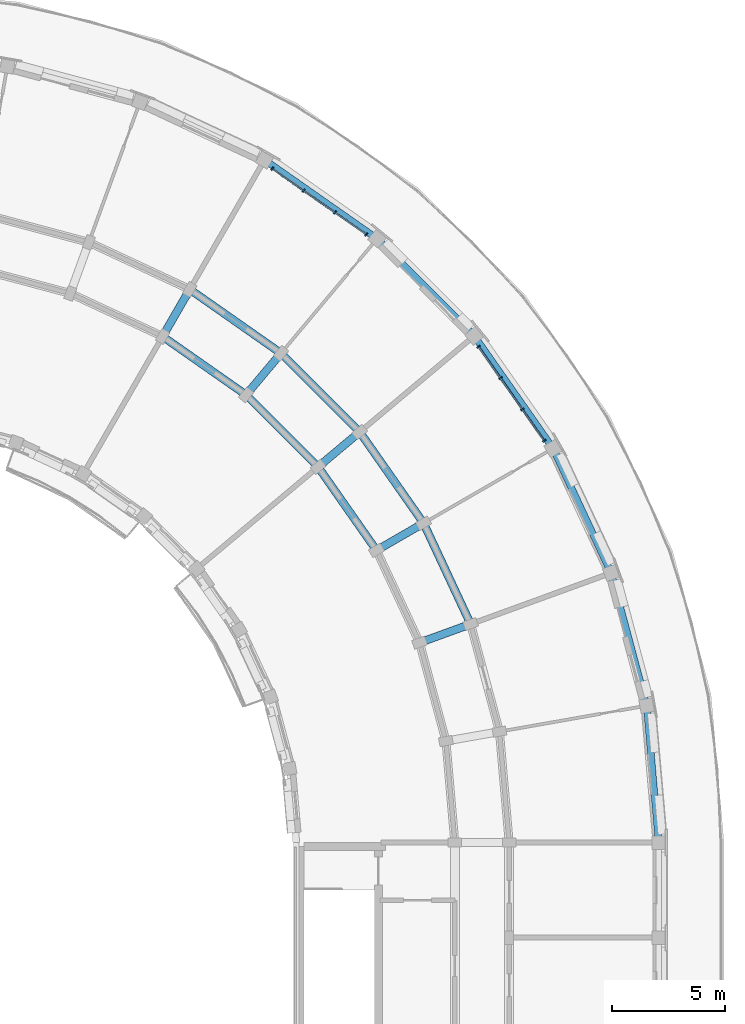
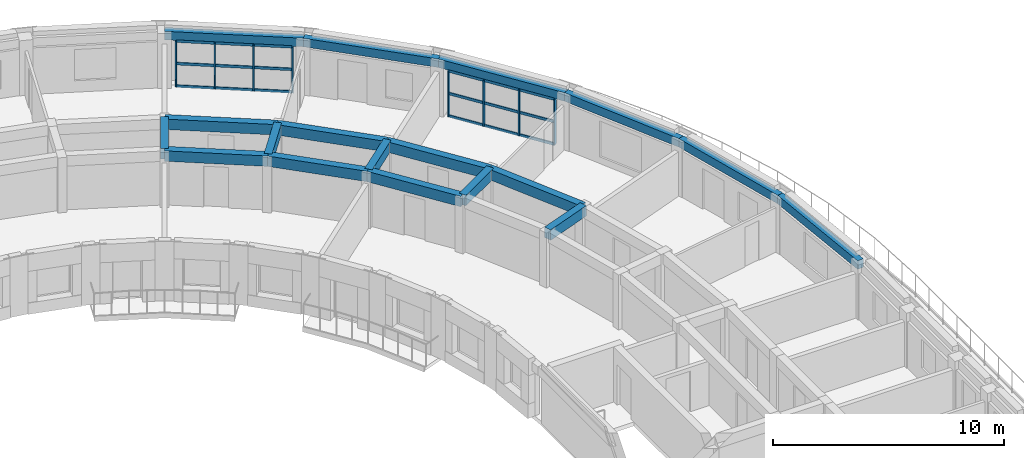
# One storey, part 8 of 32: 18 beams, 14 members, 2 elements without a shape of their own.
"""IFC4 building model written with IfcOpenShell, lengths in metres."""

import ifcopenshell
import ifcopenshell.guid

model = None  # the IFC model being written
_history = None  # IfcOwnerHistory: only IFC2X3 demands one
_inside = {}  # id of a spatial element -> (the spatial element, [elements in it])
_under = {}  # id of a project, library or spatial element -> (it, [spatial elements below it])
_declared = {}  # id of a project -> (the project, [libraries it declares])
_typed = {}  # id of a type object -> (the type object, [elements of that type])
_made_of = {}  # id of a material, layer set ... -> (it, [elements and type objects made of it])


def new_model(schema):
    """Start an empty IFC model of exactly this schema.

    Asked for "IFC4X3", IfcOpenShell would pick the latest addendum, in which some entities
    have other attributes; the version numbers below select the first issue.
    IFC2X3 requires an IfcOwnerHistory on every rooted entity: one is made here for all.
    """
    global model, _history
    if schema == "IFC4X3":
        model = ifcopenshell.file(schema_version=(4, 3, 0, 0))
    else:
        model = ifcopenshell.file(schema=schema)
    _inside.clear()
    _under.clear()
    _declared.clear()
    _typed.clear()
    _made_of.clear()
    _history = None
    if model.schema == "IFC2X3":
        org = make("IfcOrganization", Name="unknown")
        user = make(
            "IfcPersonAndOrganization",
            ThePerson=make("IfcPerson", FamilyName="unknown"),
            TheOrganization=org,
        )
        app = make(
            "IfcApplication",
            ApplicationDeveloper=org,
            Version="unknown",
            ApplicationFullName="unknown",
            ApplicationIdentifier="unknown",
        )
        _history = make(
            "IfcOwnerHistory",
            OwningUser=user,
            OwningApplication=app,
            ChangeAction="ADDED",
            CreationDate=0,
        )
    return model


def make(cls, **values):
    """One entity of the class cls with the attributes given. An attribute that is None is left unset."""
    return model.create_entity(
        cls, **{name: value for name, value in values.items() if value is not None}
    )


def rooted(cls, **values):
    """An entity with a GlobalId (a new one), such as an element, a storey or a relation."""
    return make(cls, GlobalId=ifcopenshell.guid.new(), OwnerHistory=_history, **values)


def si_unit(unit_type, name, prefix=None):
    """IfcSIUnit, for example si_unit("LENGTHUNIT", "METRE", prefix="MILLI")."""
    return make("IfcSIUnit", UnitType=unit_type, Prefix=prefix, Name=name)


def assignment(units):
    """IfcUnitAssignment: the units of a project."""
    return None if units is None else make("IfcUnitAssignment", Units=units)


def point(xyz):
    """IfcCartesianPoint."""
    return None if xyz is None else make("IfcCartesianPoint", Coordinates=xyz)


def direction(xyz):
    """IfcDirection."""
    return None if xyz is None else make("IfcDirection", DirectionRatios=xyz)


def frame(location, z_axis=None, x_axis=None):
    """IfcAxis2Placement3D, a coordinate frame: its origin and axes. An axis left out is left unset."""
    return make(
        "IfcAxis2Placement3D",
        Location=point(location),
        Axis=direction(z_axis),
        RefDirection=direction(x_axis),
    )


def frame_2d(location, x_axis=None):
    """IfcAxis2Placement2D, a coordinate frame in the plane: its origin and x axis."""
    return make(
        "IfcAxis2Placement2D", Location=point(location), RefDirection=direction(x_axis)
    )


def origin():
    """The frame at (0, 0, 0) with its axes left unset."""
    return frame((0.0, 0.0, 0.0))


def origin_2d():
    """The frame at (0, 0) in the plane with its x axis left unset."""
    return frame_2d((0.0, 0.0))


def place(relative_to, where):
    """IfcLocalPlacement: puts the frame where relative to a parent placement (None: the world)."""
    return make(
        "IfcLocalPlacement", PlacementRelTo=relative_to, RelativePlacement=where
    )


def context(
    kind, dimensions, precision=None, world=None, true_north=None, identifier=None
):
    """IfcGeometricRepresentationContext, for example the 3D "Model" context."""
    return make(
        "IfcGeometricRepresentationContext",
        ContextIdentifier=identifier,
        ContextType=kind,
        CoordinateSpaceDimension=dimensions,
        Precision=precision,
        WorldCoordinateSystem=world,
        TrueNorth=true_north,
    )


def subcontext(parent, identifier, kind, view, scale=None):
    """IfcGeometricRepresentationSubContext, for example "Body" below "Model"."""
    return make(
        "IfcGeometricRepresentationSubContext",
        ContextIdentifier=identifier,
        ContextType=kind,
        ParentContext=parent,
        TargetScale=scale,
        TargetView=view,
    )


def project(units=None, contexts=None):
    """IfcProject with its units and contexts."""
    return rooted(
        "IfcProject",
        Name="project",
        RepresentationContexts=contexts,
        UnitsInContext=assignment(units),
    )


def spatial(cls, under=None, at=None, **own):
    """A site, building, storey or space (cls), placed at a placement, below another one or the project."""
    s = rooted(cls, ObjectPlacement=at, **own)
    if under is not None:
        _under.setdefault(under.id(), (under, []))[1].append(s)
    return s


def profile(cls, at=None, kind="AREA", **sizes):
    """A parametric profile (cls). Its sizes go by their IFC names, for example OverallWidth=200.0."""
    return make(cls, ProfileType=kind, Position=at, **sizes)


def rectangle(**sizes):
    """IfcRectangleProfileDef."""
    return profile("IfcRectangleProfileDef", **sizes)


def extrude(swept, where, along, depth):
    """IfcExtrudedAreaSolid: the profile swept, set in the frame where, extruded along a direction by depth."""
    return make(
        "IfcExtrudedAreaSolid",
        SweptArea=swept,
        Position=where,
        ExtrudedDirection=direction(along),
        Depth=depth,
    )


def shape(context_of_items, identifier, shape_type, items):
    """IfcShapeRepresentation: the items that make up one representation, for example the "Body"."""
    return make(
        "IfcShapeRepresentation",
        ContextOfItems=context_of_items,
        RepresentationIdentifier=identifier,
        RepresentationType=shape_type,
        Items=items,
    )


def material(Name=None, Category=None):
    """IfcMaterial."""
    return make("IfcMaterial", Name=Name, Category=Category)


def material_profile(
    of_material, cross_section, Name=None, Category=None, Priority=None
):
    """IfcMaterialProfile: a cross section and its material."""
    return make(
        "IfcMaterialProfile",
        Name=Name,
        Material=of_material,
        Profile=cross_section,
        Priority=Priority,
        Category=Category,
    )


def profile_set(profiles, Name=None, composite=None):
    """IfcMaterialProfileSet."""
    return make(
        "IfcMaterialProfileSet",
        Name=Name,
        MaterialProfiles=profiles,
        CompositeProfile=composite,
    )


def made_of(thing, what):
    """Note that an element or type object is made of a material, layer set ...; save() writes the relation."""
    if what is not None:
        _made_of.setdefault(what.id(), (what, []))[1].append(thing)
    return thing


def type_object(cls, material=None, **own):
    """A type object (cls), such as IfcWallType, which elements share."""
    return made_of(rooted(cls, **own), material)


def element(
    cls,
    number,
    at=None,
    inside=None,
    cuts=None,
    type_object=None,
    material=None,
    context=None,
    identifier="Body",
    shape_type=None,
    held_by="IfcProductDefinitionShape",
    body=None,
    shapes=None,
    **own,
):
    """One element of the class cls, such as IfcWall. Its Tag is "e" and its number.

    at: its placement. inside: the storey or other place that contains it. cuts: it is an
    opening in that element (IfcRelVoidsElement). A single representation is given by context,
    identifier, shape_type and body (its items); several are given by shapes. held_by: the class
    of the entity that holds the representations. save() writes the other relations.
    """
    e = rooted(cls, Tag="e%d" % number, ObjectPlacement=at, **own)
    if body is not None:
        shapes = [shape(context, identifier, shape_type, body)]
    if shapes is not None:
        e.Representation = make(held_by, Representations=shapes)
    if inside is not None:
        _inside.setdefault(inside.id(), (inside, []))[1].append(e)
    if cuts is not None:
        rooted(
            "IfcRelVoidsElement", RelatingBuildingElement=cuts, RelatedOpeningElement=e
        )
    if type_object is not None:
        _typed.setdefault(type_object.id(), (type_object, []))[1].append(e)
    return made_of(e, material)


def aggregate(whole, parts):
    """IfcRelAggregates: a whole, such as a stair, and the parts it consists of."""
    return rooted("IfcRelAggregates", RelatingObject=whole, RelatedObjects=parts)


def save(model, path):
    """Write the relations noted so far, then the file.

    IfcRelAggregates (storeys below a building ...), IfcRelContainedInSpatialStructure (elements
    in a storey), IfcRelDefinesByType, IfcRelAssociatesMaterial and IfcRelDeclares: one each for
    every whole, place, type object, material and project.
    """
    for whole, parts in _under.values():
        aggregate(whole, parts)
    for where, things in _inside.values():
        rooted(
            "IfcRelContainedInSpatialStructure",
            RelatedElements=things,
            RelatingStructure=where,
        )
    for kind, things in _typed.values():
        rooted("IfcRelDefinesByType", RelatedObjects=things, RelatingType=kind)
    for what, things in _made_of.values():
        rooted("IfcRelAssociatesMaterial", RelatedObjects=things, RelatingMaterial=what)
    for by, libraries in _declared.values():
        rooted("IfcRelDeclares", RelatingContext=by, RelatedDefinitions=libraries)
    model.write(path)


model = new_model("IFC4")

# Units and contexts
model_context = context("Model", 3, precision=1e-05, world=origin(), true_north=direction((0.0, 1.0)))
body_context = subcontext(model_context, "Body", "Model", "MODEL_VIEW")
ifc_project = project(units=[si_unit("LENGTHUNIT", "METRE"), si_unit("AREAUNIT", "SQUARE_METRE"), si_unit("VOLUMEUNIT", "CUBIC_METRE"), si_unit("PLANEANGLEUNIT", "RADIAN"), si_unit("MASSUNIT", "GRAM", prefix="KILO")], contexts=[model_context])

# Site, building, storey
site_placement = place(None, origin())
site = spatial("IfcSite", under=ifc_project, at=site_placement, CompositionType="ELEMENT")
building_placement = place(site_placement, origin())
building = spatial("IfcBuilding", under=site, at=building_placement, Name="Kiranvali Square Residences", CompositionType="ELEMENT")
storey_placement = place(building_placement, frame((0.0, 0.0, 40.199951171875)))
storey = spatial("IfcBuildingStorey", under=building, at=storey_placement, Name="L12", CompositionType="ELEMENT", Elevation=40.199951171875)

# Beams
ifc_material_1 = material(Name="Concrete M40 (40 MPa)", Category="concrete")
ifc_material_profile_1 = material_profile(ifc_material_1, rectangle(XDim=0.35009765625, YDim=0.550048828125, at=origin_2d()), Name="RC 350x550")
ifc_profile_set_1 = profile_set([ifc_material_profile_1], Name="Concrete M40 (40 MPa)")
beam_type_1 = type_object("IfcBeamType", Name="BM-M40-350x550", PredefinedType="BEAM", material=ifc_profile_set_1)
beam_1_placement = place(storey_placement, frame((132.699951171875, 110.1435546875, 2.635009765625), z_axis=(0.819155404658, -0.573571637217, 0.0), x_axis=(0.573571637217, 0.819155404658, 0.0)))
element("IfcBeam", 1, at=beam_1_placement, inside=storey, type_object=beam_type_1, Name="L12 beam BM-B-L12-C03-R1", PredefinedType="BEAM", context=body_context, shape_type="SweptSolid", body=[
    extrude(rectangle(XDim=0.35009765625, YDim=0.550048828125, at=origin_2d()), origin(), (0.0, 0.0, 1.0), 4.497314453125),
])
beam_2_placement = place(storey_placement, frame((133.89990234375, 112.221923828125, 2.635009765625), z_axis=(0.819140911474, -0.573592335331, 0.0), x_axis=(0.573592335331, 0.819140911474, 0.0)))
element("IfcBeam", 2, at=beam_2_placement, inside=storey, type_object=beam_type_1, Name="L12 beam BM-B-L12-C03-R2", PredefinedType="BEAM", context=body_context, shape_type="SweptSolid", body=[
    extrude(rectangle(XDim=0.35009765625, YDim=0.550048828125, at=origin_2d()), origin(), (0.0, 0.0, 1.0), 4.915771484375),
])
beam_3_placement = place(storey_placement, frame((136.384033203125, 107.56396484375, 2.635009765625), z_axis=(0.707106781187, -0.707106781187, 0.0), x_axis=(0.707106781187, 0.707106781187, 0.0)))
element("IfcBeam", 3, at=beam_3_placement, inside=storey, type_object=beam_type_1, Name="L12 beam BM-B-L12-C04-R1", PredefinedType="BEAM", context=body_context, shape_type="SweptSolid", body=[
    extrude(rectangle(XDim=0.35009765625, YDim=0.550048828125, at=origin_2d()), origin(), (0.0, 0.0, 1.0), 4.4970703125),
])
beam_4_placement = place(storey_placement, frame((137.926513671875, 109.40234375, 2.635009765625), z_axis=(0.707106781187, -0.707106781187, 0.0), x_axis=(0.707106781187, 0.707106781187, 0.0)))
element("IfcBeam", 4, at=beam_4_placement, inside=storey, type_object=beam_type_1, Name="L12 beam BM-B-L12-C04-R2", PredefinedType="BEAM", context=body_context, shape_type="SweptSolid", body=[
    extrude(rectangle(XDim=0.35009765625, YDim=0.550048828125, at=origin_2d()), origin(), (0.0, 0.0, 1.0), 4.91552734375),
])
beam_5_placement = place(storey_placement, frame((139.56396484375, 104.384033203125, 2.635009765625), z_axis=(0.573571637217, -0.819155404658, 0.0), x_axis=(0.819155404658, 0.573571637217, 0.0)))
element("IfcBeam", 5, at=beam_5_placement, inside=storey, type_object=beam_type_1, Name="L12 beam BM-B-L12-C05-R1", PredefinedType="BEAM", context=body_context, shape_type="SweptSolid", body=[
    extrude(rectangle(XDim=0.35009765625, YDim=0.550048828125, at=origin_2d()), origin(), (0.0, 0.0, 1.0), 4.497314453125),
])
beam_6_placement = place(storey_placement, frame((141.40234375, 105.926513671875, 2.635009765625), z_axis=(0.573592335331, -0.819140911474, 0.0), x_axis=(0.819140911474, 0.573592335331, 0.0)))
element("IfcBeam", 6, at=beam_6_placement, inside=storey, type_object=beam_type_1, Name="L12 beam BM-B-L12-C05-R2", PredefinedType="BEAM", context=body_context, shape_type="SweptSolid", body=[
    extrude(rectangle(XDim=0.35009765625, YDim=0.550048828125, at=origin_2d()), origin(), (0.0, 0.0, 1.0), 4.915771484375),
])
beam_7_placement = place(storey_placement, frame((144.221923828125, 101.89990234375, 2.635009765625), z_axis=(0.422629854778, -0.906302381024, 0.0), x_axis=(0.906302381024, 0.422629854778, 0.0)))
element("IfcBeam", 7, at=beam_7_placement, inside=storey, type_object=beam_type_1, Name="L12 beam BM-B-L12-C06-R2", PredefinedType="BEAM", context=body_context, shape_type="SweptSolid", body=[
    extrude(rectangle(XDim=0.35009765625, YDim=0.550048828125, at=origin_2d()), origin(), (0.0, 0.0, 1.0), 4.915283203125),
])
beam_8_placement = place(storey_placement, frame((132.699951171875, 110.1435546875, 2.635009765625), z_axis=(0.500001309137, 0.866024647952, 0.0), x_axis=(-0.866024647952, 0.500001309137, 0.0)))
element("IfcBeam", 8, at=beam_8_placement, inside=storey, type_object=beam_type_1, Name="L12 beam BM-B-L12-RAD03-12", PredefinedType="BEAM", context=body_context, shape_type="SweptSolid", body=[
    extrude(rectangle(XDim=0.35009765625, YDim=0.550048828125, at=origin_2d()), origin(), (0.0, 0.0, 1.0), 2.39990234375),
])
for number, where, z_axis, x_axis, name in (
    (9, (136.384033203125, 107.56396484375, 2.635009765625), (0.642762521781, 0.766065493671, 0.0), (-0.766065493671, 0.642762521781, 0.0), "L12 beam BM-B-L12-RAD04-12"),
    (10, (139.56396484375, 104.384033203125, 2.635009765625), (0.766065493671, 0.642762521781, 0.0), (-0.642762521781, 0.766065493671, 0.0), "L12 beam BM-B-L12-RAD05-12"),
):
    element("IfcBeam", number, at=place(storey_placement, frame(where, z_axis=z_axis, x_axis=x_axis)), inside=storey, type_object=beam_type_1, Name=name, PredefinedType="BEAM", context=body_context, shape_type="SweptSolid", body=[
        extrude(rectangle(XDim=0.35009765625, YDim=0.550048828125, at=origin_2d()), origin(), (0.0, 0.0, 1.0), 2.399658203125),
    ])
for number, where, z_axis, x_axis, name in (
    (11, (142.1435546875, 100.699951171875, 2.635009765625), (0.866024647952, 0.500001309137, 0.0), (-0.500001309137, 0.866024647952, 0.0), "L12 beam BM-B-L12-RAD06-12"),
    (12, (144.044189453125, 96.6240234375, 2.635009765625), (0.939659694648, 0.342110593602, 0.0), (-0.342110593602, 0.939659694648, 0.0), "L12 beam BM-B-L12-RAD07-12"),
):
    element("IfcBeam", number, at=place(storey_placement, frame(where, z_axis=z_axis, x_axis=x_axis)), inside=storey, type_object=beam_type_1, Name=name, PredefinedType="BEAM", context=body_context, shape_type="SweptSolid", body=[
        extrude(rectangle(XDim=0.35009765625, YDim=0.550048828125, at=origin_2d()), origin(), (0.0, 0.0, 1.0), 2.39990234375),
    ])

# Curtain wall, members
ifc_material_2 = material(Name="Anodised bronze aluminium framing", Category="aluminium")
curtain_wall_type = type_object("IfcCurtainWallType", Name="CW-RES-LOG", PredefinedType="USERDEFINED", material=ifc_material_2)
curtain_wall_1_placement = place(storey_placement, origin())
curtain_wall_1 = element("IfcCurtainWall", 13, at=curtain_wall_1_placement, inside=storey, type_object=curtain_wall_type, Name="Block B L12 stepped curved terrace loggia 4", ObjectType="CURTAIN WALL", PredefinedType="USERDEFINED")
ifc_material_profile_2 = material_profile(ifc_material_2, rectangle(XDim=0.06494140625, YDim=0.159912109375, at=origin_2d()), Name="ALU 65x160")
ifc_profile_set_2 = profile_set([ifc_material_profile_2], Name="Anodised bronze aluminium framing")
member_type_1 = type_object("IfcMemberType", Name="CW-MUL-160", PredefinedType="MULLION", material=ifc_profile_set_2)
member_1_placement = place(storey_placement, frame((137.540771484375, 117.552490234375, 0.02001953125), z_axis=(0.0, 0.0, 1.0), x_axis=(0.819152044289, -0.573576436351, 0.0)))
member_1 = element("IfcMember", 14, at=member_1_placement, type_object=member_type_1, Name="CW-B-L12-TER-03 vertical mullion 1", PredefinedType="MULLION", context=body_context, shape_type="SweptSolid", body=[
    extrude(rectangle(XDim=0.06494140625, YDim=0.159912109375, at=origin_2d()), origin(), (0.0, 0.0, 1.0), 2.419921875),
])
member_2_placement = place(storey_placement, frame((138.924072265625, 116.583984375, 0.02001953125), z_axis=(0.0, 0.0, 1.0), x_axis=(0.819152044289, -0.573576436351, 0.0)))
member_2 = element("IfcMember", 15, at=member_2_placement, type_object=member_type_1, Name="CW-B-L12-TER-03 vertical mullion 2", PredefinedType="MULLION", context=body_context, shape_type="SweptSolid", body=[
    extrude(rectangle(XDim=0.06494140625, YDim=0.159912109375, at=origin_2d()), origin(), (0.0, 0.0, 1.0), 2.419921875),
])
member_3_placement = place(storey_placement, frame((140.307373046875, 115.615478515625, 0.02001953125), z_axis=(0.0, 0.0, 1.0), x_axis=(0.819152044289, -0.573576436351, 0.0)))
member_3 = element("IfcMember", 16, at=member_3_placement, type_object=member_type_1, Name="CW-B-L12-TER-03 vertical mullion 3", PredefinedType="MULLION", context=body_context, shape_type="SweptSolid", body=[
    extrude(rectangle(XDim=0.06494140625, YDim=0.159912109375, at=origin_2d()), origin(), (0.0, 0.0, 1.0), 2.419921875),
])
member_4_placement = place(storey_placement, frame((141.690673828125, 114.646728515625, 0.02001953125), z_axis=(0.0, 0.0, 1.0), x_axis=(0.819152044289, -0.573576436351, 0.0)))
member_4 = element("IfcMember", 17, at=member_4_placement, type_object=member_type_1, Name="CW-B-L12-TER-03 vertical mullion 4", PredefinedType="MULLION", context=body_context, shape_type="SweptSolid", body=[
    extrude(rectangle(XDim=0.06494140625, YDim=0.159912109375, at=origin_2d()), origin(), (0.0, 0.0, 1.0), 2.419921875),
])

curtain_wall_2_placement = place(storey_placement, origin())
curtain_wall_2 = element("IfcCurtainWall", 18, at=curtain_wall_2_placement, inside=storey, type_object=curtain_wall_type, Name="Block B L12 stepped curved terrace loggia 6", ObjectType="CURTAIN WALL", PredefinedType="USERDEFINED")
member_5_placement = place(storey_placement, frame((146.646728515625, 109.690673828125, 0.02001953125), z_axis=(0.0, 0.0, 1.0), x_axis=(0.573576436351, -0.819152044289, 0.0)))
member_5 = element("IfcMember", 19, at=member_5_placement, type_object=member_type_1, Name="CW-B-L12-TER-05 vertical mullion 1", PredefinedType="MULLION", context=body_context, shape_type="SweptSolid", body=[
    extrude(rectangle(XDim=0.06494140625, YDim=0.159912109375, at=origin_2d()), origin(), (0.0, 0.0, 1.0), 2.419921875),
])
member_6_placement = place(storey_placement, frame((147.615478515625, 108.307373046875, 0.02001953125), z_axis=(0.0, 0.0, 1.0), x_axis=(0.573576436351, -0.819152044289, 0.0)))
member_6 = element("IfcMember", 20, at=member_6_placement, type_object=member_type_1, Name="CW-B-L12-TER-05 vertical mullion 2", PredefinedType="MULLION", context=body_context, shape_type="SweptSolid", body=[
    extrude(rectangle(XDim=0.06494140625, YDim=0.159912109375, at=origin_2d()), origin(), (0.0, 0.0, 1.0), 2.419921875),
])
member_7_placement = place(storey_placement, frame((148.583984375, 106.924072265625, 0.02001953125), z_axis=(0.0, 0.0, 1.0), x_axis=(0.573576436351, -0.819152044289, 0.0)))
member_7 = element("IfcMember", 21, at=member_7_placement, type_object=member_type_1, Name="CW-B-L12-TER-05 vertical mullion 3", PredefinedType="MULLION", context=body_context, shape_type="SweptSolid", body=[
    extrude(rectangle(XDim=0.06494140625, YDim=0.159912109375, at=origin_2d()), origin(), (0.0, 0.0, 1.0), 2.419921875),
])
member_8_placement = place(storey_placement, frame((149.552490234375, 105.540771484375, 0.02001953125), z_axis=(0.0, 0.0, 1.0), x_axis=(0.573576436351, -0.819152044289, 0.0)))
member_8 = element("IfcMember", 22, at=member_8_placement, type_object=member_type_1, Name="CW-B-L12-TER-05 vertical mullion 4", PredefinedType="MULLION", context=body_context, shape_type="SweptSolid", body=[
    extrude(rectangle(XDim=0.06494140625, YDim=0.159912109375, at=origin_2d()), origin(), (0.0, 0.0, 1.0), 2.419921875),
])

# Member
ifc_material_profile_3 = material_profile(ifc_material_2, rectangle(XDim=0.06494140625, YDim=0.139892578125, at=origin_2d()), Name="ALU 65x140")
ifc_profile_set_3 = profile_set([ifc_material_profile_3], Name="Anodised bronze aluminium framing")
member_type_2 = type_object("IfcMemberType", Name="CW-TRN-140", PredefinedType="MULLION", material=ifc_profile_set_3)
member_9_placement = place(storey_placement, frame((137.548828125, 117.546875, 0.0400390625), z_axis=(0.81915690506, -0.573569494388, 0.0), x_axis=(0.573569494388, 0.81915690506, 0.0)))
member_9 = element("IfcMember", 23, at=member_9_placement, type_object=member_type_2, Name="CW-B-L12-TER-03 horizontal transom 1", PredefinedType="MULLION", context=body_context, shape_type="SweptSolid", body=[
    extrude(rectangle(XDim=0.06494140625, YDim=0.139892578125, at=origin_2d()), origin(), (0.0, 0.0, 1.0), 5.046142578125),
])

member_10_placement = place(storey_placement, frame((137.548828125, 117.546875, 1.22998046875), z_axis=(0.81915690506, -0.573569494388, 0.0), x_axis=(0.573569494388, 0.81915690506, 0.0)))
member_10 = element("IfcMember", 24, at=member_10_placement, type_object=member_type_2, Name="CW-B-L12-TER-03 horizontal transom 2", PredefinedType="MULLION", context=body_context, shape_type="SweptSolid", body=[
    extrude(rectangle(XDim=0.06494140625, YDim=0.139892578125, at=origin_2d()), origin(), (0.0, 0.0, 1.0), 5.046142578125),
])

member_11_placement = place(storey_placement, frame((137.548828125, 117.546875, 2.420166015625), z_axis=(0.81915690506, -0.573569494388, 0.0), x_axis=(0.573569494388, 0.81915690506, 0.0)))
member_11 = element("IfcMember", 25, at=member_11_placement, type_object=member_type_2, Name="CW-B-L12-TER-03 horizontal transom 3", PredefinedType="MULLION", context=body_context, shape_type="SweptSolid", body=[
    extrude(rectangle(XDim=0.06494140625, YDim=0.139892578125, at=origin_2d()), origin(), (0.0, 0.0, 1.0), 5.046142578125),
])

aggregate(curtain_wall_1, [member_1, member_2, member_3, member_4, member_9, member_10, member_11])

member_12_placement = place(storey_placement, frame((146.652587890625, 109.682373046875, 0.0400390625), z_axis=(0.573569494388, -0.81915690506, 0.0), x_axis=(0.81915690506, 0.573569494388, 0.0)))
member_12 = element("IfcMember", 26, at=member_12_placement, type_object=member_type_2, Name="CW-B-L12-TER-05 horizontal transom 1", PredefinedType="MULLION", context=body_context, shape_type="SweptSolid", body=[
    extrude(rectangle(XDim=0.06494140625, YDim=0.139892578125, at=origin_2d()), origin(), (0.0, 0.0, 1.0), 5.046142578125),
])

member_13_placement = place(storey_placement, frame((146.652587890625, 109.682373046875, 1.22998046875), z_axis=(0.573569494388, -0.81915690506, 0.0), x_axis=(0.81915690506, 0.573569494388, 0.0)))
member_13 = element("IfcMember", 27, at=member_13_placement, type_object=member_type_2, Name="CW-B-L12-TER-05 horizontal transom 2", PredefinedType="MULLION", context=body_context, shape_type="SweptSolid", body=[
    extrude(rectangle(XDim=0.06494140625, YDim=0.139892578125, at=origin_2d()), origin(), (0.0, 0.0, 1.0), 5.046142578125),
])

member_14_placement = place(storey_placement, frame((146.652587890625, 109.682373046875, 2.420166015625), z_axis=(0.573569494388, -0.81915690506, 0.0), x_axis=(0.81915690506, 0.573569494388, 0.0)))
member_14 = element("IfcMember", 28, at=member_14_placement, type_object=member_type_2, Name="CW-B-L12-TER-05 horizontal transom 3", PredefinedType="MULLION", context=body_context, shape_type="SweptSolid", body=[
    extrude(rectangle(XDim=0.06494140625, YDim=0.139892578125, at=origin_2d()), origin(), (0.0, 0.0, 1.0), 5.046142578125),
])

aggregate(curtain_wall_2, [member_5, member_6, member_7, member_8, member_12, member_13, member_14])

# Beams
ifc_material_profile_4 = material_profile(ifc_material_1, rectangle(XDim=0.300048828125, YDim=0.449951171875, at=origin_2d()), Name="RC 300x450")
ifc_profile_set_4 = profile_set([ifc_material_profile_4], Name="Concrete M40 (40 MPa)")
beam_type_2 = type_object("IfcBeamType", Name="SPN-M40-300x450", PredefinedType="SPANDREL", material=ifc_profile_set_4)
beam_9_placement = place(storey_placement, frame((137.199951171875, 117.937744140625, 2.68505859375), z_axis=(0.81913926159, -0.573594691504, 0.0), x_axis=(0.573594691504, 0.81913926159, 0.0)))
element("IfcBeam", 29, at=beam_9_placement, inside=storey, type_object=beam_type_2, Name="L12 beam BM-B-L12-C03-R3", PredefinedType="SPANDREL", context=body_context, shape_type="SweptSolid", body=[
    extrude(rectangle(XDim=0.300048828125, YDim=0.449951171875, at=origin_2d()), origin(), (0.0, 0.0, 1.0), 6.066162109375),
])
beam_10_placement = place(storey_placement, frame((142.1689453125, 114.458251953125, 2.68505859375), z_axis=(0.707106781187, -0.707106781187, 0.0), x_axis=(0.707106781187, 0.707106781187, 0.0)))
element("IfcBeam", 30, at=beam_10_placement, inside=storey, type_object=beam_type_2, Name="L12 beam BM-B-L12-C04-R3", PredefinedType="SPANDREL", context=body_context, shape_type="SweptSolid", body=[
    extrude(rectangle(XDim=0.300048828125, YDim=0.449951171875, at=origin_2d()), origin(), (0.0, 0.0, 1.0), 6.06591796875),
])
beam_11_placement = place(storey_placement, frame((146.458251953125, 110.1689453125, 2.68505859375), z_axis=(0.573594691504, -0.81913926159, 0.0), x_axis=(0.81913926159, 0.573594691504, 0.0)))
element("IfcBeam", 31, at=beam_11_placement, inside=storey, type_object=beam_type_2, Name="L12 beam BM-B-L12-C05-R3", PredefinedType="SPANDREL", context=body_context, shape_type="SweptSolid", body=[
    extrude(rectangle(XDim=0.300048828125, YDim=0.449951171875, at=origin_2d()), origin(), (0.0, 0.0, 1.0), 6.066162109375),
])
beam_12_placement = place(storey_placement, frame((149.937744140625, 105.199951171875, 2.68505859375), z_axis=(0.42260781991, -0.906312656069, 0.0), x_axis=(0.906312656069, 0.42260781991, 0.0)))
element("IfcBeam", 32, at=beam_12_placement, inside=storey, type_object=beam_type_2, Name="L12 beam BM-B-L12-C06-R3", PredefinedType="SPANDREL", context=body_context, shape_type="SweptSolid", body=[
    extrude(rectangle(XDim=0.300048828125, YDim=0.449951171875, at=origin_2d()), origin(), (0.0, 0.0, 1.0), 6.06591796875),
])
for number, where, z_axis, x_axis, name in (
    (33, (152.501220703125, 99.702392578125, 2.68505859375), (0.258827283048, -0.965923618901, 0.0), (0.965923618901, 0.258827283048, 0.0), "L12 beam BM-B-L12-C07-R3"),
    (34, (154.0712890625, 93.843017578125, 2.68505859375), (0.087174938512, -0.996193018494, 0.0), (0.996193018494, 0.087174938512, 0.0), "L12 beam BM-B-L12-C08-R3"),
):
    element("IfcBeam", number, at=place(storey_placement, frame(where, z_axis=z_axis, x_axis=x_axis)), inside=storey, type_object=beam_type_2, Name=name, PredefinedType="SPANDREL", context=body_context, shape_type="SweptSolid", body=[
        extrude(rectangle(XDim=0.300048828125, YDim=0.449951171875, at=origin_2d()), origin(), (0.0, 0.0, 1.0), 6.066162109375),
    ])

save(model, "model.ifc")
